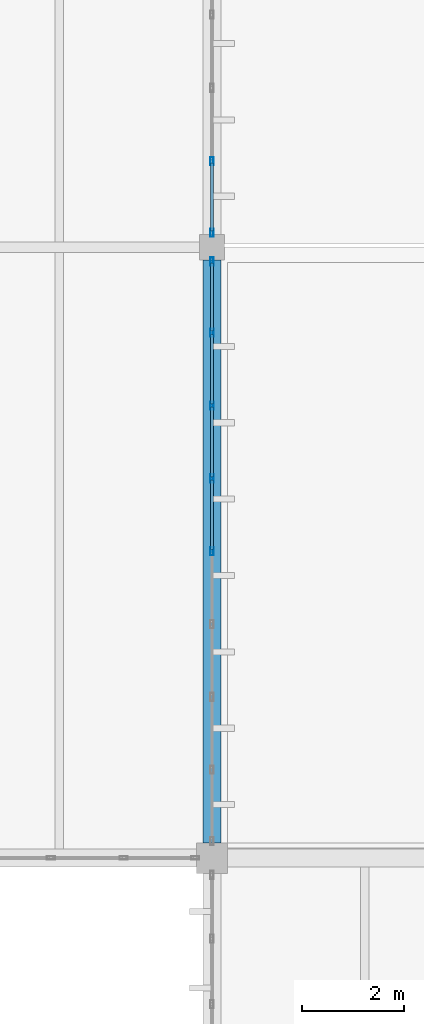
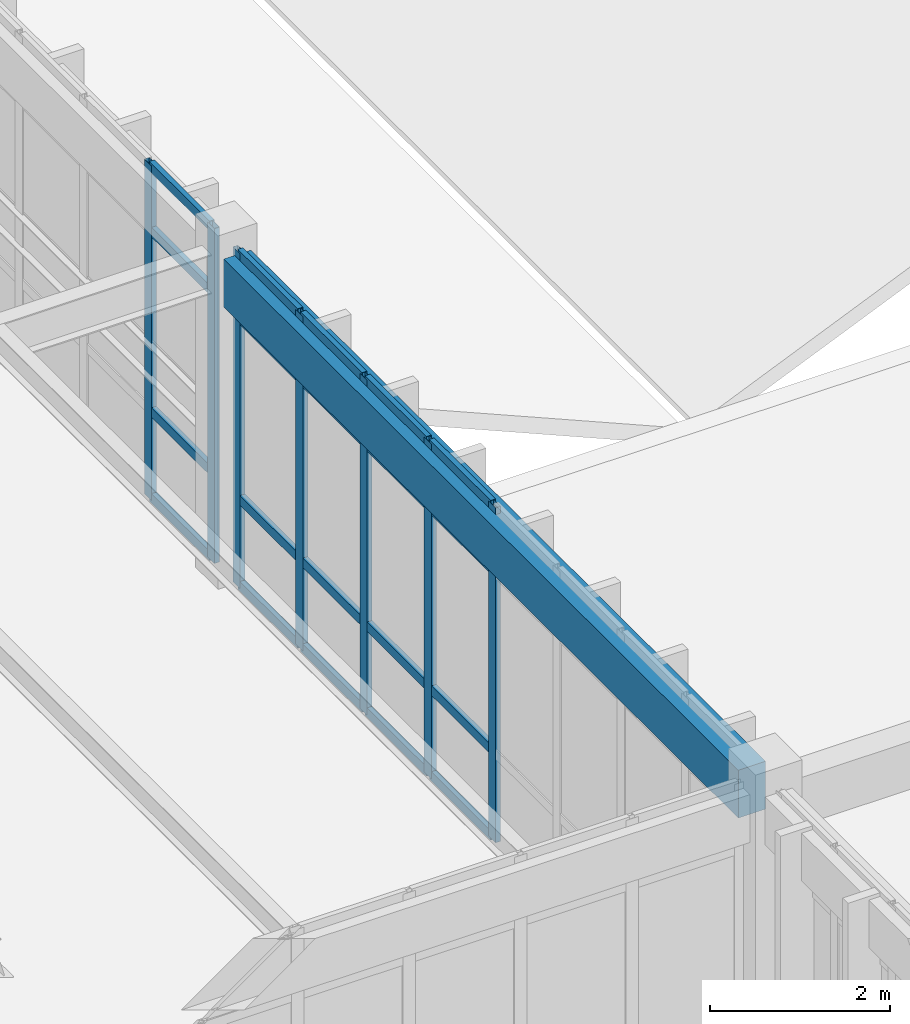
# One storey, part 175 of 236: 27 members, 1 beam, 2 elements without a shape of their own.
"""IFC4 building model written with IfcOpenShell, lengths in metres."""

import ifcopenshell
import ifcopenshell.guid

model = None  # the IFC model being written
_history = None  # IfcOwnerHistory: only IFC2X3 demands one
_inside = {}  # id of a spatial element -> (the spatial element, [elements in it])
_under = {}  # id of a project, library or spatial element -> (it, [spatial elements below it])
_declared = {}  # id of a project -> (the project, [libraries it declares])
_typed = {}  # id of a type object -> (the type object, [elements of that type])
_made_of = {}  # id of a material, layer set ... -> (it, [elements and type objects made of it])


def new_model(schema):
    """Start an empty IFC model of exactly this schema.

    Asked for "IFC4X3", IfcOpenShell would pick the latest addendum, in which some entities
    have other attributes; the version numbers below select the first issue.
    IFC2X3 requires an IfcOwnerHistory on every rooted entity: one is made here for all.
    """
    global model, _history
    if schema == "IFC4X3":
        model = ifcopenshell.file(schema_version=(4, 3, 0, 0))
    else:
        model = ifcopenshell.file(schema=schema)
    _inside.clear()
    _under.clear()
    _declared.clear()
    _typed.clear()
    _made_of.clear()
    _history = None
    if model.schema == "IFC2X3":
        org = make("IfcOrganization", Name="unknown")
        user = make(
            "IfcPersonAndOrganization",
            ThePerson=make("IfcPerson", FamilyName="unknown"),
            TheOrganization=org,
        )
        app = make(
            "IfcApplication",
            ApplicationDeveloper=org,
            Version="unknown",
            ApplicationFullName="unknown",
            ApplicationIdentifier="unknown",
        )
        _history = make(
            "IfcOwnerHistory",
            OwningUser=user,
            OwningApplication=app,
            ChangeAction="ADDED",
            CreationDate=0,
        )
    return model


def make(cls, **values):
    """One entity of the class cls with the attributes given. An attribute that is None is left unset."""
    return model.create_entity(
        cls, **{name: value for name, value in values.items() if value is not None}
    )


def rooted(cls, **values):
    """An entity with a GlobalId (a new one), such as an element, a storey or a relation."""
    return make(cls, GlobalId=ifcopenshell.guid.new(), OwnerHistory=_history, **values)


def si_unit(unit_type, name, prefix=None):
    """IfcSIUnit, for example si_unit("LENGTHUNIT", "METRE", prefix="MILLI")."""
    return make("IfcSIUnit", UnitType=unit_type, Prefix=prefix, Name=name)


def assignment(units):
    """IfcUnitAssignment: the units of a project."""
    return None if units is None else make("IfcUnitAssignment", Units=units)


def point(xyz):
    """IfcCartesianPoint."""
    return None if xyz is None else make("IfcCartesianPoint", Coordinates=xyz)


def direction(xyz):
    """IfcDirection."""
    return None if xyz is None else make("IfcDirection", DirectionRatios=xyz)


def frame(location, z_axis=None, x_axis=None):
    """IfcAxis2Placement3D, a coordinate frame: its origin and axes. An axis left out is left unset."""
    return make(
        "IfcAxis2Placement3D",
        Location=point(location),
        Axis=direction(z_axis),
        RefDirection=direction(x_axis),
    )


def frame_2d(location, x_axis=None):
    """IfcAxis2Placement2D, a coordinate frame in the plane: its origin and x axis."""
    return make(
        "IfcAxis2Placement2D", Location=point(location), RefDirection=direction(x_axis)
    )


def origin():
    """The frame at (0, 0, 0) with its axes left unset."""
    return frame((0.0, 0.0, 0.0))


def origin_2d():
    """The frame at (0, 0) in the plane with its x axis left unset."""
    return frame_2d((0.0, 0.0))


def place(relative_to, where):
    """IfcLocalPlacement: puts the frame where relative to a parent placement (None: the world)."""
    return make(
        "IfcLocalPlacement", PlacementRelTo=relative_to, RelativePlacement=where
    )


def context(
    kind, dimensions, precision=None, world=None, true_north=None, identifier=None
):
    """IfcGeometricRepresentationContext, for example the 3D "Model" context."""
    return make(
        "IfcGeometricRepresentationContext",
        ContextIdentifier=identifier,
        ContextType=kind,
        CoordinateSpaceDimension=dimensions,
        Precision=precision,
        WorldCoordinateSystem=world,
        TrueNorth=true_north,
    )


def subcontext(parent, identifier, kind, view, scale=None):
    """IfcGeometricRepresentationSubContext, for example "Body" below "Model"."""
    return make(
        "IfcGeometricRepresentationSubContext",
        ContextIdentifier=identifier,
        ContextType=kind,
        ParentContext=parent,
        TargetScale=scale,
        TargetView=view,
    )


def project(units=None, contexts=None):
    """IfcProject with its units and contexts."""
    return rooted(
        "IfcProject",
        Name="project",
        RepresentationContexts=contexts,
        UnitsInContext=assignment(units),
    )


def spatial(cls, under=None, at=None, **own):
    """A site, building, storey or space (cls), placed at a placement, below another one or the project."""
    s = rooted(cls, ObjectPlacement=at, **own)
    if under is not None:
        _under.setdefault(under.id(), (under, []))[1].append(s)
    return s


def profile(cls, at=None, kind="AREA", **sizes):
    """A parametric profile (cls). Its sizes go by their IFC names, for example OverallWidth=200.0."""
    return make(cls, ProfileType=kind, Position=at, **sizes)


def rectangle(**sizes):
    """IfcRectangleProfileDef."""
    return profile("IfcRectangleProfileDef", **sizes)


def hollow_rectangle(**sizes):
    """IfcRectangleHollowProfileDef."""
    return profile("IfcRectangleHollowProfileDef", **sizes)


def extrude(swept, where, along, depth):
    """IfcExtrudedAreaSolid: the profile swept, set in the frame where, extruded along a direction by depth."""
    return make(
        "IfcExtrudedAreaSolid",
        SweptArea=swept,
        Position=where,
        ExtrudedDirection=direction(along),
        Depth=depth,
    )


def shape(context_of_items, identifier, shape_type, items):
    """IfcShapeRepresentation: the items that make up one representation, for example the "Body"."""
    return make(
        "IfcShapeRepresentation",
        ContextOfItems=context_of_items,
        RepresentationIdentifier=identifier,
        RepresentationType=shape_type,
        Items=items,
    )


def material(Name=None, Category=None):
    """IfcMaterial."""
    return make("IfcMaterial", Name=Name, Category=Category)


def layer(
    of_material, thickness, ventilated=None, Name=None, Category=None, Priority=None
):
    """IfcMaterialLayer: one layer of a wall or slab, of a material (None: an air gap)."""
    return make(
        "IfcMaterialLayer",
        Material=of_material,
        LayerThickness=thickness,
        IsVentilated=ventilated,
        Name=Name,
        Category=Category,
        Priority=Priority,
    )


def layer_set(layers, Name=None):
    """IfcMaterialLayerSet."""
    return make("IfcMaterialLayerSet", MaterialLayers=layers, LayerSetName=Name)


def material_profile(
    of_material, cross_section, Name=None, Category=None, Priority=None
):
    """IfcMaterialProfile: a cross section and its material."""
    return make(
        "IfcMaterialProfile",
        Name=Name,
        Material=of_material,
        Profile=cross_section,
        Priority=Priority,
        Category=Category,
    )


def profile_set(profiles, Name=None, composite=None):
    """IfcMaterialProfileSet."""
    return make(
        "IfcMaterialProfileSet",
        Name=Name,
        MaterialProfiles=profiles,
        CompositeProfile=composite,
    )


def made_of(thing, what):
    """Note that an element or type object is made of a material, layer set ...; save() writes the relation."""
    if what is not None:
        _made_of.setdefault(what.id(), (what, []))[1].append(thing)
    return thing


def type_object(cls, material=None, **own):
    """A type object (cls), such as IfcWallType, which elements share."""
    return made_of(rooted(cls, **own), material)


def element(
    cls,
    number,
    at=None,
    inside=None,
    cuts=None,
    type_object=None,
    material=None,
    context=None,
    identifier="Body",
    shape_type=None,
    held_by="IfcProductDefinitionShape",
    body=None,
    shapes=None,
    **own,
):
    """One element of the class cls, such as IfcWall. Its Tag is "e" and its number.

    at: its placement. inside: the storey or other place that contains it. cuts: it is an
    opening in that element (IfcRelVoidsElement). A single representation is given by context,
    identifier, shape_type and body (its items); several are given by shapes. held_by: the class
    of the entity that holds the representations. save() writes the other relations.
    """
    e = rooted(cls, Tag="e%d" % number, ObjectPlacement=at, **own)
    if body is not None:
        shapes = [shape(context, identifier, shape_type, body)]
    if shapes is not None:
        e.Representation = make(held_by, Representations=shapes)
    if inside is not None:
        _inside.setdefault(inside.id(), (inside, []))[1].append(e)
    if cuts is not None:
        rooted(
            "IfcRelVoidsElement", RelatingBuildingElement=cuts, RelatedOpeningElement=e
        )
    if type_object is not None:
        _typed.setdefault(type_object.id(), (type_object, []))[1].append(e)
    return made_of(e, material)


def aggregate(whole, parts):
    """IfcRelAggregates: a whole, such as a stair, and the parts it consists of."""
    return rooted("IfcRelAggregates", RelatingObject=whole, RelatedObjects=parts)


def save(model, path):
    """Write the relations noted so far, then the file.

    IfcRelAggregates (storeys below a building ...), IfcRelContainedInSpatialStructure (elements
    in a storey), IfcRelDefinesByType, IfcRelAssociatesMaterial and IfcRelDeclares: one each for
    every whole, place, type object, material and project.
    """
    for whole, parts in _under.values():
        aggregate(whole, parts)
    for where, things in _inside.values():
        rooted(
            "IfcRelContainedInSpatialStructure",
            RelatedElements=things,
            RelatingStructure=where,
        )
    for kind, things in _typed.values():
        rooted("IfcRelDefinesByType", RelatedObjects=things, RelatingType=kind)
    for what, things in _made_of.values():
        rooted("IfcRelAssociatesMaterial", RelatedObjects=things, RelatingMaterial=what)
    for by, libraries in _declared.values():
        rooted("IfcRelDeclares", RelatingContext=by, RelatedDefinitions=libraries)
    model.write(path)


model = new_model("IFC4")

# Units and contexts
model_context = context("Model", 3, precision=1e-05, world=origin(), true_north=direction((0.0, 1.0)))
body_context = subcontext(model_context, "Body", "Model", "MODEL_VIEW")
ifc_project = project(units=[si_unit("LENGTHUNIT", "METRE"), si_unit("AREAUNIT", "SQUARE_METRE"), si_unit("VOLUMEUNIT", "CUBIC_METRE"), si_unit("PLANEANGLEUNIT", "RADIAN"), si_unit("MASSUNIT", "GRAM", prefix="KILO")], contexts=[model_context])

# Site, building, storey
site_placement = place(None, origin())
site = spatial("IfcSite", under=ifc_project, at=site_placement, CompositionType="ELEMENT")
building_placement = place(site_placement, origin())
building = spatial("IfcBuilding", under=site, at=building_placement, Name="Pandanus Reach Market Hall", CompositionType="ELEMENT")
storey_placement = place(building_placement, frame((0.0, 0.0, 5.39990234375)))
storey = spatial("IfcBuildingStorey", under=building, at=storey_placement, Name="L01", CompositionType="ELEMENT", Elevation=5.39990234375)

# Beam
ifc_material_1 = material(Name="Concrete N40 (40 MPa)", Category="concrete")
ifc_material_profile_1 = material_profile(ifc_material_1, rectangle(XDim=0.35009765625, YDim=0.64990234375, at=origin_2d()), Name="RC350x650", Category="LoadBearing")
ifc_profile_set_1 = profile_set([ifc_material_profile_1], Name="Concrete N40 (40 MPa)")
beam_type = type_object("IfcBeamType", Name="BM-RC350-E", PredefinedType="SPANDREL", material=ifc_profile_set_1)
beam_placement = place(storey_placement, frame((144.0, 96.298095703125, 4.135009765625), z_axis=(0.0, 1.0, 0.0), x_axis=(-1.0, 0.0, 0.0)))
element("IfcBeam", 1, at=beam_placement, inside=storey, type_object=beam_type, Name="Framing beam BM-RC350-E L01.883", PredefinedType="SPANDREL", context=body_context, shape_type="SweptSolid", body=[
    extrude(rectangle(XDim=0.35009765625, YDim=0.64990234375, at=origin_2d()), origin(), (0.0, 0.0, 1.0), 11.453857421875),
])

# Curtain wall, members
ifc_material_2 = material(Name="Bronze anodised aluminium and low-E glass", Category="aluminium")
ifc_layer_1 = layer(ifc_material_2, 0.159912109375, Name="CW-40")
ifc_layer_set_1 = layer_set([ifc_layer_1], Name="Bronze anodised aluminium and low-E glass")
curtain_wall_type_1 = type_object("IfcCurtainWallType", Name="CW-40", PredefinedType="NOTDEFINED", material=ifc_layer_set_1)
curtain_wall_1_placement = place(storey_placement, origin())
curtain_wall_1 = element("IfcCurtainWall", 2, at=curtain_wall_1_placement, inside=storey, type_object=curtain_wall_type_1, Name="Glazed curtain wall CW-40 CW-0149", PredefinedType="NOTDEFINED")
ifc_material_3 = material(Name="Bronze anodised aluminium", Category="aluminium")
ifc_material_profile_2 = material_profile(ifc_material_3, hollow_rectangle(XDim=0.06494140625, YDim=0.159912109375, WallThickness=0.00390625, at=origin_2d()), Name="ALU65x160", Category="LoadBearing")
ifc_profile_set_2 = profile_set([ifc_material_profile_2], Name="Bronze anodised aluminium")
member_type_1 = type_object("IfcMemberType", Name="CW-M1", PredefinedType="MULLION", material=ifc_profile_set_2)
member_1_placement = place(storey_placement, frame((144.0, 102.02490234375, 0.0), z_axis=(0.0, 0.0, 1.0), x_axis=(-1.0, 0.0, 0.0)))
member_1 = element("IfcMember", 3, at=member_1_placement, type_object=member_type_1, Name="CW-40 mullion 5", PredefinedType="MULLION", context=body_context, shape_type="SweptSolid", body=[
    extrude(hollow_rectangle(XDim=0.06494140625, YDim=0.159912109375, WallThickness=0.00390625, at=origin_2d()), origin(), (0.0, 0.0, 1.0), 4.550048828125),
])
member_2_placement = place(storey_placement, frame((144.0, 103.456298828125, 0.0), z_axis=(0.0, 0.0, 1.0), x_axis=(-1.0, 0.0, 0.0)))
member_2 = element("IfcMember", 4, at=member_2_placement, type_object=member_type_1, Name="CW-40 mullion 6", PredefinedType="MULLION", context=body_context, shape_type="SweptSolid", body=[
    extrude(hollow_rectangle(XDim=0.06494140625, YDim=0.159912109375, WallThickness=0.00390625, at=origin_2d()), origin(), (0.0, 0.0, 1.0), 4.550048828125),
])
member_3_placement = place(storey_placement, frame((144.0, 104.887451171875, 0.0), z_axis=(0.0, 0.0, 1.0), x_axis=(-1.0, 0.0, 0.0)))
member_3 = element("IfcMember", 5, at=member_3_placement, type_object=member_type_1, Name="CW-40 mullion 7", PredefinedType="MULLION", context=body_context, shape_type="SweptSolid", body=[
    extrude(hollow_rectangle(XDim=0.06494140625, YDim=0.159912109375, WallThickness=0.00390625, at=origin_2d()), origin(), (0.0, 0.0, 1.0), 4.550048828125),
])
member_4_placement = place(storey_placement, frame((144.0, 106.31884765625, 0.0), z_axis=(0.0, 0.0, 1.0), x_axis=(-1.0, 0.0, 0.0)))
member_4 = element("IfcMember", 6, at=member_4_placement, type_object=member_type_1, Name="CW-40 mullion 8", PredefinedType="MULLION", context=body_context, shape_type="SweptSolid", body=[
    extrude(hollow_rectangle(XDim=0.06494140625, YDim=0.159912109375, WallThickness=0.00390625, at=origin_2d()), origin(), (0.0, 0.0, 1.0), 4.550048828125),
])
member_5_placement = place(storey_placement, frame((144.0, 107.717529296875, 0.0), z_axis=(0.0, 0.0, 1.0), x_axis=(-1.0, 0.0, 0.0)))
member_5 = element("IfcMember", 7, at=member_5_placement, type_object=member_type_1, Name="CW-40 mullion 9", PredefinedType="MULLION", context=body_context, shape_type="SweptSolid", body=[
    extrude(hollow_rectangle(XDim=0.06494140625, YDim=0.159912109375, WallThickness=0.00390625, at=origin_2d()), origin(), (0.0, 0.0, 1.0), 4.550048828125),
])

ifc_layer_2 = layer(ifc_material_2, 0.159912109375, Name="CW-38")
ifc_layer_set_2 = layer_set([ifc_layer_2], Name="Bronze anodised aluminium and low-E glass")
curtain_wall_type_2 = type_object("IfcCurtainWallType", Name="CW-38", PredefinedType="NOTDEFINED", material=ifc_layer_set_2)
curtain_wall_2_placement = place(storey_placement, origin())
curtain_wall_2 = element("IfcCurtainWall", 8, at=curtain_wall_2_placement, inside=storey, type_object=curtain_wall_type_2, Name="Glazed curtain wall CW-38 CW-0152", PredefinedType="NOTDEFINED")
member_6_placement = place(storey_placement, frame((144.0, 108.282470703125, 0.0), z_axis=(0.0, 0.0, 1.0), x_axis=(-1.0, 0.0, 0.0)))
member_6 = element("IfcMember", 9, at=member_6_placement, type_object=member_type_1, Name="CW-38 mullion 1", PredefinedType="MULLION", context=body_context, shape_type="SweptSolid", body=[
    extrude(hollow_rectangle(XDim=0.06494140625, YDim=0.159912109375, WallThickness=0.00390625, at=origin_2d()), origin(), (0.0, 0.0, 1.0), 4.550048828125),
])
member_7_placement = place(storey_placement, frame((144.0, 109.6875, 0.0), z_axis=(0.0, 0.0, 1.0), x_axis=(-1.0, 0.0, 0.0)))
member_7 = element("IfcMember", 10, at=member_7_placement, type_object=member_type_1, Name="CW-38 mullion 2", PredefinedType="MULLION", context=body_context, shape_type="SweptSolid", body=[
    extrude(hollow_rectangle(XDim=0.06494140625, YDim=0.159912109375, WallThickness=0.00390625, at=origin_2d()), origin(), (0.0, 0.0, 1.0), 4.550048828125),
])

# Member
ifc_material_profile_3 = material_profile(ifc_material_3, hollow_rectangle(XDim=0.06494140625, YDim=0.1298828125, WallThickness=0.00390625, at=origin_2d()), Name="ALU65x130", Category="LoadBearing")
ifc_profile_set_3 = profile_set([ifc_material_profile_3], Name="Bronze anodised aluminium")
member_type_2 = type_object("IfcMemberType", Name="CW-T1", PredefinedType="USERDEFINED", material=ifc_profile_set_3)
member_8_placement = place(storey_placement, frame((144.0, 102.0576171875, 0.03271484375), z_axis=(0.0, 1.0, 0.0), x_axis=(-1.0, 0.0, 0.0)))
member_8 = element("IfcMember", 11, at=member_8_placement, type_object=member_type_2, Name="CW-40 transom 5.1", ObjectType="TRANSOM", PredefinedType="USERDEFINED", context=body_context, shape_type="SweptSolid", body=[
    extrude(hollow_rectangle(XDim=0.06494140625, YDim=0.1298828125, WallThickness=0.00390625, at=origin_2d()), origin(), (0.0, 0.0, 1.0), 1.3662109375),
])

member_9_placement = place(storey_placement, frame((144.0, 102.0576171875, 1.2001953125), z_axis=(0.0, 1.0, 0.0), x_axis=(-1.0, 0.0, 0.0)))
member_9 = element("IfcMember", 12, at=member_9_placement, type_object=member_type_2, Name="CW-40 transom 5.2", ObjectType="TRANSOM", PredefinedType="USERDEFINED", context=body_context, shape_type="SweptSolid", body=[
    extrude(hollow_rectangle(XDim=0.06494140625, YDim=0.1298828125, WallThickness=0.00390625, at=origin_2d()), origin(), (0.0, 0.0, 1.0), 1.3662109375),
])

member_10_placement = place(storey_placement, frame((144.0, 102.0576171875, 3.650146484375), z_axis=(0.0, 1.0, 0.0), x_axis=(-1.0, 0.0, 0.0)))
member_10 = element("IfcMember", 13, at=member_10_placement, type_object=member_type_2, Name="CW-40 transom 5.3", ObjectType="TRANSOM", PredefinedType="USERDEFINED", context=body_context, shape_type="SweptSolid", body=[
    extrude(hollow_rectangle(XDim=0.06494140625, YDim=0.1298828125, WallThickness=0.00390625, at=origin_2d()), origin(), (0.0, 0.0, 1.0), 1.3662109375),
])

member_11_placement = place(storey_placement, frame((144.0, 102.0576171875, 4.517578125), z_axis=(0.0, 1.0, 0.0), x_axis=(-1.0, 0.0, 0.0)))
member_11 = element("IfcMember", 14, at=member_11_placement, type_object=member_type_2, Name="CW-40 transom 5.4", ObjectType="TRANSOM", PredefinedType="USERDEFINED", context=body_context, shape_type="SweptSolid", body=[
    extrude(hollow_rectangle(XDim=0.06494140625, YDim=0.1298828125, WallThickness=0.00390625, at=origin_2d()), origin(), (0.0, 0.0, 1.0), 1.3662109375),
])

member_12_placement = place(storey_placement, frame((144.0, 103.48876953125, 0.03271484375), z_axis=(0.0, 1.0, 0.0), x_axis=(-1.0, 0.0, 0.0)))
member_12 = element("IfcMember", 15, at=member_12_placement, type_object=member_type_2, Name="CW-40 transom 6.1", ObjectType="TRANSOM", PredefinedType="USERDEFINED", context=body_context, shape_type="SweptSolid", body=[
    extrude(hollow_rectangle(XDim=0.06494140625, YDim=0.1298828125, WallThickness=0.00390625, at=origin_2d()), origin(), (0.0, 0.0, 1.0), 1.3662109375),
])

member_13_placement = place(storey_placement, frame((144.0, 103.48876953125, 1.2001953125), z_axis=(0.0, 1.0, 0.0), x_axis=(-1.0, 0.0, 0.0)))
member_13 = element("IfcMember", 16, at=member_13_placement, type_object=member_type_2, Name="CW-40 transom 6.2", ObjectType="TRANSOM", PredefinedType="USERDEFINED", context=body_context, shape_type="SweptSolid", body=[
    extrude(hollow_rectangle(XDim=0.06494140625, YDim=0.1298828125, WallThickness=0.00390625, at=origin_2d()), origin(), (0.0, 0.0, 1.0), 1.3662109375),
])

member_14_placement = place(storey_placement, frame((144.0, 103.48876953125, 3.650146484375), z_axis=(0.0, 1.0, 0.0), x_axis=(-1.0, 0.0, 0.0)))
member_14 = element("IfcMember", 17, at=member_14_placement, type_object=member_type_2, Name="CW-40 transom 6.3", ObjectType="TRANSOM", PredefinedType="USERDEFINED", context=body_context, shape_type="SweptSolid", body=[
    extrude(hollow_rectangle(XDim=0.06494140625, YDim=0.1298828125, WallThickness=0.00390625, at=origin_2d()), origin(), (0.0, 0.0, 1.0), 1.3662109375),
])

member_15_placement = place(storey_placement, frame((144.0, 103.48876953125, 4.517578125), z_axis=(0.0, 1.0, 0.0), x_axis=(-1.0, 0.0, 0.0)))
member_15 = element("IfcMember", 18, at=member_15_placement, type_object=member_type_2, Name="CW-40 transom 6.4", ObjectType="TRANSOM", PredefinedType="USERDEFINED", context=body_context, shape_type="SweptSolid", body=[
    extrude(hollow_rectangle(XDim=0.06494140625, YDim=0.1298828125, WallThickness=0.00390625, at=origin_2d()), origin(), (0.0, 0.0, 1.0), 1.3662109375),
])

member_16_placement = place(storey_placement, frame((144.0, 104.919921875, 0.03271484375), z_axis=(0.0, 1.0, 0.0), x_axis=(-1.0, 0.0, 0.0)))
member_16 = element("IfcMember", 19, at=member_16_placement, type_object=member_type_2, Name="CW-40 transom 7.1", ObjectType="TRANSOM", PredefinedType="USERDEFINED", context=body_context, shape_type="SweptSolid", body=[
    extrude(hollow_rectangle(XDim=0.06494140625, YDim=0.1298828125, WallThickness=0.00390625, at=origin_2d()), origin(), (0.0, 0.0, 1.0), 1.3662109375),
])

member_17_placement = place(storey_placement, frame((144.0, 104.919921875, 1.2001953125), z_axis=(0.0, 1.0, 0.0), x_axis=(-1.0, 0.0, 0.0)))
member_17 = element("IfcMember", 20, at=member_17_placement, type_object=member_type_2, Name="CW-40 transom 7.2", ObjectType="TRANSOM", PredefinedType="USERDEFINED", context=body_context, shape_type="SweptSolid", body=[
    extrude(hollow_rectangle(XDim=0.06494140625, YDim=0.1298828125, WallThickness=0.00390625, at=origin_2d()), origin(), (0.0, 0.0, 1.0), 1.3662109375),
])

member_18_placement = place(storey_placement, frame((144.0, 104.919921875, 3.650146484375), z_axis=(0.0, 1.0, 0.0), x_axis=(-1.0, 0.0, 0.0)))
member_18 = element("IfcMember", 21, at=member_18_placement, type_object=member_type_2, Name="CW-40 transom 7.3", ObjectType="TRANSOM", PredefinedType="USERDEFINED", context=body_context, shape_type="SweptSolid", body=[
    extrude(hollow_rectangle(XDim=0.06494140625, YDim=0.1298828125, WallThickness=0.00390625, at=origin_2d()), origin(), (0.0, 0.0, 1.0), 1.3662109375),
])

member_19_placement = place(storey_placement, frame((144.0, 104.919921875, 4.517578125), z_axis=(0.0, 1.0, 0.0), x_axis=(-1.0, 0.0, 0.0)))
member_19 = element("IfcMember", 22, at=member_19_placement, type_object=member_type_2, Name="CW-40 transom 7.4", ObjectType="TRANSOM", PredefinedType="USERDEFINED", context=body_context, shape_type="SweptSolid", body=[
    extrude(hollow_rectangle(XDim=0.06494140625, YDim=0.1298828125, WallThickness=0.00390625, at=origin_2d()), origin(), (0.0, 0.0, 1.0), 1.3662109375),
])

member_20_placement = place(storey_placement, frame((144.0, 106.351318359375, 0.03271484375), z_axis=(0.0, 1.0, 0.0), x_axis=(-1.0, 0.0, 0.0)))
member_20 = element("IfcMember", 23, at=member_20_placement, type_object=member_type_2, Name="CW-40 transom 8.1", ObjectType="TRANSOM", PredefinedType="USERDEFINED", context=body_context, shape_type="SweptSolid", body=[
    extrude(hollow_rectangle(XDim=0.06494140625, YDim=0.1298828125, WallThickness=0.00390625, at=origin_2d()), origin(), (0.0, 0.0, 1.0), 1.333740234375),
])

member_21_placement = place(storey_placement, frame((144.0, 106.351318359375, 1.2001953125), z_axis=(0.0, 1.0, 0.0), x_axis=(-1.0, 0.0, 0.0)))
member_21 = element("IfcMember", 24, at=member_21_placement, type_object=member_type_2, Name="CW-40 transom 8.2", ObjectType="TRANSOM", PredefinedType="USERDEFINED", context=body_context, shape_type="SweptSolid", body=[
    extrude(hollow_rectangle(XDim=0.06494140625, YDim=0.1298828125, WallThickness=0.00390625, at=origin_2d()), origin(), (0.0, 0.0, 1.0), 1.333740234375),
])

member_22_placement = place(storey_placement, frame((144.0, 106.351318359375, 3.650146484375), z_axis=(0.0, 1.0, 0.0), x_axis=(-1.0, 0.0, 0.0)))
member_22 = element("IfcMember", 25, at=member_22_placement, type_object=member_type_2, Name="CW-40 transom 8.3", ObjectType="TRANSOM", PredefinedType="USERDEFINED", context=body_context, shape_type="SweptSolid", body=[
    extrude(hollow_rectangle(XDim=0.06494140625, YDim=0.1298828125, WallThickness=0.00390625, at=origin_2d()), origin(), (0.0, 0.0, 1.0), 1.333740234375),
])

member_23_placement = place(storey_placement, frame((144.0, 106.351318359375, 4.517578125), z_axis=(0.0, 1.0, 0.0), x_axis=(-1.0, 0.0, 0.0)))
member_23 = element("IfcMember", 26, at=member_23_placement, type_object=member_type_2, Name="CW-40 transom 8.4", ObjectType="TRANSOM", PredefinedType="USERDEFINED", context=body_context, shape_type="SweptSolid", body=[
    extrude(hollow_rectangle(XDim=0.06494140625, YDim=0.1298828125, WallThickness=0.00390625, at=origin_2d()), origin(), (0.0, 0.0, 1.0), 1.333740234375),
])

aggregate(curtain_wall_1, [member_1, member_2, member_3, member_4, member_5, member_8, member_9, member_10, member_11, member_12, member_13, member_14, member_15, member_16, member_17, member_18, member_19, member_20, member_21, member_22, member_23])

member_24_placement = place(storey_placement, frame((144.0, 108.31494140625, 0.03271484375), z_axis=(0.0, 1.0, 0.0), x_axis=(-1.0, 0.0, 0.0)))
member_24 = element("IfcMember", 27, at=member_24_placement, type_object=member_type_2, Name="CW-38 transom 1.1", ObjectType="TRANSOM", PredefinedType="USERDEFINED", context=body_context, shape_type="SweptSolid", body=[
    extrude(hollow_rectangle(XDim=0.06494140625, YDim=0.1298828125, WallThickness=0.00390625, at=origin_2d()), origin(), (0.0, 0.0, 1.0), 1.340087890625),
])

member_25_placement = place(storey_placement, frame((144.0, 108.31494140625, 1.2001953125), z_axis=(0.0, 1.0, 0.0), x_axis=(-1.0, 0.0, 0.0)))
member_25 = element("IfcMember", 28, at=member_25_placement, type_object=member_type_2, Name="CW-38 transom 1.2", ObjectType="TRANSOM", PredefinedType="USERDEFINED", context=body_context, shape_type="SweptSolid", body=[
    extrude(hollow_rectangle(XDim=0.06494140625, YDim=0.1298828125, WallThickness=0.00390625, at=origin_2d()), origin(), (0.0, 0.0, 1.0), 1.340087890625),
])

member_26_placement = place(storey_placement, frame((144.0, 108.31494140625, 3.650146484375), z_axis=(0.0, 1.0, 0.0), x_axis=(-1.0, 0.0, 0.0)))
member_26 = element("IfcMember", 29, at=member_26_placement, type_object=member_type_2, Name="CW-38 transom 1.3", ObjectType="TRANSOM", PredefinedType="USERDEFINED", context=body_context, shape_type="SweptSolid", body=[
    extrude(hollow_rectangle(XDim=0.06494140625, YDim=0.1298828125, WallThickness=0.00390625, at=origin_2d()), origin(), (0.0, 0.0, 1.0), 1.340087890625),
])

member_27_placement = place(storey_placement, frame((144.0, 108.31494140625, 4.517578125), z_axis=(0.0, 1.0, 0.0), x_axis=(-1.0, 0.0, 0.0)))
member_27 = element("IfcMember", 30, at=member_27_placement, type_object=member_type_2, Name="CW-38 transom 1.4", ObjectType="TRANSOM", PredefinedType="USERDEFINED", context=body_context, shape_type="SweptSolid", body=[
    extrude(hollow_rectangle(XDim=0.06494140625, YDim=0.1298828125, WallThickness=0.00390625, at=origin_2d()), origin(), (0.0, 0.0, 1.0), 1.340087890625),
])

aggregate(curtain_wall_2, [member_6, member_7, member_24, member_25, member_26, member_27])

save(model, "model.ifc")
